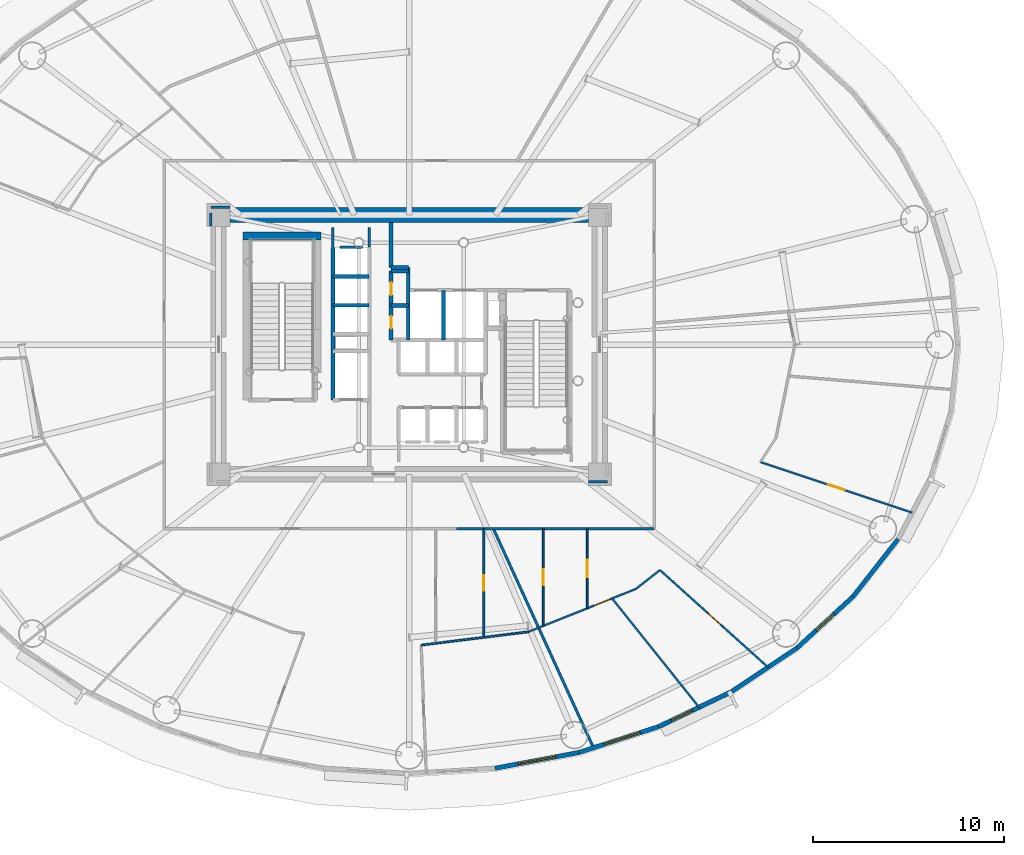
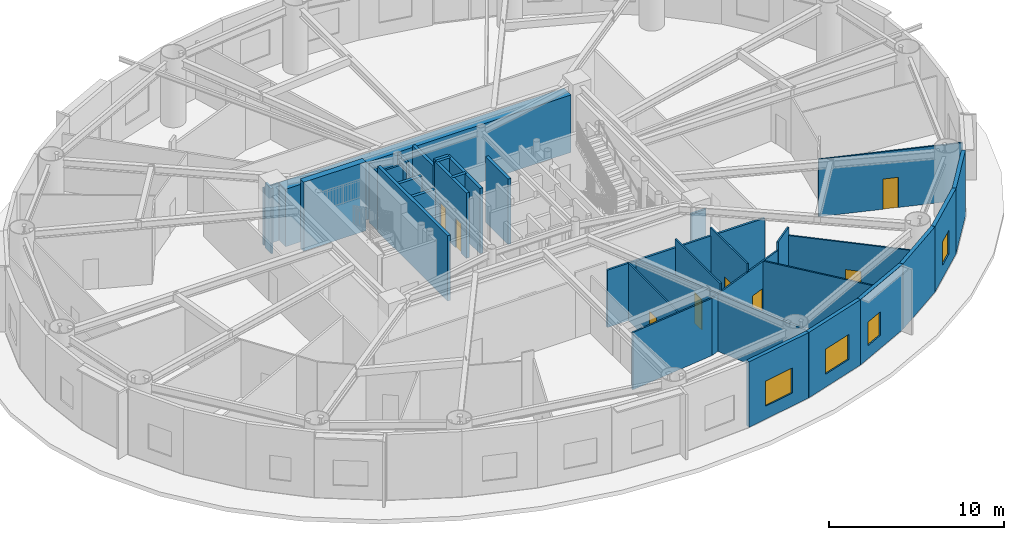
# One storey, part 11 of 19: 35 walls, 8 doors, 4 windows, 12 openings.
"""IFC4 building model written with IfcOpenShell, lengths in metres."""

from ifc_helpers import new_model, si_unit, direction, frame, frame_2d, origin, origin_2d, place, context, subcontext, project, spatial, rectangle, extrude, source, transform, mapped, material, layer, layer_set, type_object, element, fill, save


model = new_model("IFC4")

# Units and contexts
model_context = context("Model", 3, precision=1e-05, world=origin(), true_north=direction((0.0, 1.0)))
body_context = subcontext(model_context, "Body", "Model", "MODEL_VIEW")
ifc_project = project(units=[si_unit("LENGTHUNIT", "METRE"), si_unit("AREAUNIT", "SQUARE_METRE"), si_unit("VOLUMEUNIT", "CUBIC_METRE"), si_unit("PLANEANGLEUNIT", "RADIAN"), si_unit("MASSUNIT", "GRAM", prefix="KILO")], contexts=[model_context])

# Site, building, storey
site_placement = place(None, origin())
site = spatial("IfcSite", under=ifc_project, at=site_placement, CompositionType="ELEMENT")
building_placement = place(site_placement, origin())
building = spatial("IfcBuilding", under=site, at=building_placement, Name="Linh Dai School and Residence Tower", CompositionType="ELEMENT")
storey_placement = place(building_placement, frame((0.0, 0.0, 92.39990234375)))
storey = spatial("IfcBuildingStorey", under=building, at=storey_placement, Name="L21", CompositionType="ELEMENT", Elevation=92.39990234375)

# Wall, opening, window
ifc_material_1 = material(Name="Precast Concrete B45 (C35/45)", Category="concrete")
ifc_layer_1 = layer(ifc_material_1, 0.239990234375)
ifc_layer_set_1 = layer_set([ifc_layer_1], Name="Precast Concrete B45 (C35/45)")
wall_type_1 = type_object("IfcWallType", Name="EW-TC-240", PredefinedType="SOLIDWALL", material=ifc_layer_set_1)
wall_1_placement = place(storey_placement, frame((44.899658203125, 5.5986328125, 0.0), z_axis=(0.0, 0.0, 1.0), x_axis=(-0.982789252177, -0.184730305596, 0.0)))
wall_1 = element("IfcWall", 1, at=wall_1_placement, inside=storey, type_object=wall_type_1, Name="L21 Terracotta Exterior Wall 32", PredefinedType="SOLIDWALL", context=body_context, shape_type="SweptSolid", body=[
    extrude(rectangle(XDim=4.470947265625, YDim=0.239990234375, at=frame_2d((2.2353515625, 0.0))), origin(), (0.0, 0.0, 1.0), 4.550048828125),
])
opening_1_placement = place(wall_1_placement, frame((1.235595703125, 0.0, 0.89990234375)))
opening_1 = element("IfcOpeningElement", 2, at=opening_1_placement, cuts=wall_1, Name="Opening W1", PredefinedType="OPENING", context=body_context, shape_type="SweptSolid", body=[
    extrude(rectangle(XDim=2.0, YDim=1.75, at=origin_2d()), frame((1.0, 0.1298828125, 0.875), z_axis=(0.0, -1.0, 0.0), x_axis=(1.0, 0.0, 0.0)), (0.0, 0.0, 1.0), 0.260009765625),
])
ifc_material_2 = material(Name="Double Low-E Insulated Glazing", Category="glass")
window_type_1 = type_object("IfcWindowType", Name="WN-RES-2000x1750", PartitioningType="DOUBLE_PANEL_VERTICAL", PredefinedType="WINDOW", material=ifc_material_2)
shared_shape_1 = source(origin(), body_context, "Body", "SweptSolid", [
    extrude(rectangle(XDim=2.0, YDim=1.75, at=origin_2d()), frame((1.0, 0.030029296875, 0.875), z_axis=(0.0, -1.0, 0.0), x_axis=(1.0, 0.0, 0.0)), (0.0, 0.0, 1.0), 0.06005859375),
])
window_1_placement = place(opening_1_placement, origin())
window_1 = element("IfcWindow", 3, at=window_1_placement, inside=storey, type_object=window_type_1, Name="L21 Exterior Window 32.1", OverallHeight=1.75, OverallWidth=2.0, PartitioningType="DOUBLE_PANEL_VERTICAL", PredefinedType="WINDOW", context=body_context, shape_type="MappedRepresentation", body=[
    mapped(shared_shape_1, transform((0.0, 0.0, 0.0), x_axis=(1.0, 0.0, 0.0), y_axis=(0.0, 1.0, 0.0), z_axis=(0.0, 0.0, 1.0), scale=1.0)),
])
fill(opening_1, window_1)

wall_2_placement = place(storey_placement, frame((49.073974609375, 6.95263671875, 0.0), z_axis=(0.0, 0.0, 1.0), x_axis=(-0.951211346073, -0.308540070495, 0.0)))
wall_2 = element("IfcWall", 4, at=wall_2_placement, inside=storey, type_object=wall_type_1, Name="L21 Terracotta Exterior Wall 33", PredefinedType="SOLIDWALL", context=body_context, shape_type="SweptSolid", body=[
    extrude(rectangle(XDim=4.388427734375, YDim=0.239990234375, at=frame_2d((2.1943359375, 0.0))), origin(), (0.0, 0.0, 1.0), 4.550048828125),
])
opening_2_placement = place(wall_2_placement, frame((0.991943359375, 0.0, 0.89990234375)))
opening_2 = element("IfcOpeningElement", 5, at=opening_2_placement, cuts=wall_2, Name="Opening W1", PredefinedType="OPENING", context=body_context, shape_type="SweptSolid", body=[
    extrude(rectangle(XDim=2.0, YDim=1.75, at=origin_2d()), frame((1.0, 0.1298828125, 0.875), z_axis=(0.0, -1.0, 0.0), x_axis=(1.0, 0.0, 0.0)), (0.0, 0.0, 1.0), 0.260009765625),
])
window_2_placement = place(opening_2_placement, origin())
window_2 = element("IfcWindow", 6, at=window_2_placement, inside=storey, type_object=window_type_1, Name="L21 Exterior Window 33.1", OverallHeight=1.75, OverallWidth=2.0, PartitioningType="DOUBLE_PANEL_VERTICAL", PredefinedType="WINDOW", context=body_context, shape_type="MappedRepresentation", body=[
    mapped(shared_shape_1, transform((0.0, 0.0, 0.0), x_axis=(1.0, 0.0, 0.0), y_axis=(0.0, 1.0, 0.0), z_axis=(0.0, 0.0, 1.0), scale=1.0)),
])
fill(opening_2, window_2)

wall_3_placement = place(storey_placement, frame((52.92529296875, 8.800537109375, 0.0), z_axis=(0.0, 0.0, 1.0), x_axis=(-0.901589935876, -0.432591709962, 0.0)))
wall_3 = element("IfcWall", 7, at=wall_3_placement, inside=storey, type_object=wall_type_1, Name="L21 Terracotta Exterior Wall 34", PredefinedType="SOLIDWALL", context=body_context, shape_type="SweptSolid", body=[
    extrude(rectangle(XDim=4.271728515625, YDim=0.239990234375, at=frame_2d((2.1357421875, 0.0))), origin(), (0.0, 0.0, 1.0), 4.550048828125),
])
opening_3_placement = place(wall_3_placement, frame((2.284423828125, 0.0, 0.89990234375)))
opening_3 = element("IfcOpeningElement", 8, at=opening_3_placement, cuts=wall_3, Name="Opening W3", PredefinedType="OPENING", context=body_context, shape_type="SweptSolid", body=[
    extrude(rectangle(XDim=1.25, YDim=1.64990234375, at=origin_2d()), frame((0.625, 0.1298828125, 0.824951171875), z_axis=(0.0, -1.0, 0.0), x_axis=(1.0, 0.0, 0.0)), (0.0, 0.0, 1.0), 0.260009765625),
])
window_type_2 = type_object("IfcWindowType", Name="WN-RES-1250x1650", PartitioningType="SINGLE_PANEL", PredefinedType="WINDOW", material=ifc_material_2)
shared_shape_2 = source(origin(), body_context, "Body", "SweptSolid", [
    extrude(rectangle(XDim=1.25, YDim=1.64990234375, at=origin_2d()), frame((0.625, 0.030029296875, 0.824951171875), z_axis=(0.0, -1.0, 0.0), x_axis=(1.0, 0.0, 0.0)), (0.0, 0.0, 1.0), 0.06005859375),
])
window_3_placement = place(opening_3_placement, origin())
window_3 = element("IfcWindow", 9, at=window_3_placement, inside=storey, type_object=window_type_2, Name="L21 Exterior Window 34.1", OverallHeight=1.64990234375, OverallWidth=1.25, PartitioningType="SINGLE_PANEL", PredefinedType="WINDOW", context=body_context, shape_type="MappedRepresentation", body=[
    mapped(shared_shape_2, transform((0.0, 0.0, 0.0), x_axis=(1.0, 0.0, 0.0), y_axis=(0.0, 1.0, 0.0), z_axis=(0.0, 0.0, 1.0), scale=1.0)),
])
fill(opening_3, window_3)

# Wall
wall_4_placement = place(storey_placement, frame((56.3583984375, 11.0966796875, 0.0), z_axis=(0.0, 0.0, 1.0), x_axis=(-0.831221811447, -0.555940914284, 0.0)))
element("IfcWall", 10, at=wall_4_placement, inside=storey, type_object=wall_type_1, Name="L21 Terracotta Exterior Wall 35", PredefinedType="SOLIDWALL", context=body_context, shape_type="SweptSolid", body=[
    extrude(rectangle(XDim=4.130126953125, YDim=0.239990234375, at=frame_2d((2.06494140625, 0.0))), origin(), (0.0, 0.0, 1.0), 4.550048828125),
])

# Wall, opening, window
wall_5_placement = place(storey_placement, frame((59.2890625, 13.783447265625, 0.0), z_axis=(0.0, 0.0, 1.0), x_axis=(-0.737113356241, -0.675769117414, 0.0)))
wall_5 = element("IfcWall", 11, at=wall_5_placement, inside=storey, type_object=wall_type_1, Name="L21 Terracotta Exterior Wall 36", PredefinedType="SOLIDWALL", context=body_context, shape_type="SweptSolid", body=[
    extrude(rectangle(XDim=3.975830078125, YDim=0.239990234375, at=frame_2d((1.98779296875, 0.0))), origin(), (0.0, 0.0, 1.0), 4.550048828125),
])
opening_4_placement = place(wall_5_placement, frame((1.363037109375, 0.0, 0.89990234375)))
opening_4 = element("IfcOpeningElement", 12, at=opening_4_placement, cuts=wall_5, Name="Opening W3", PredefinedType="OPENING", context=body_context, shape_type="SweptSolid", body=[
    extrude(rectangle(XDim=1.25, YDim=1.64990234375, at=origin_2d()), frame((0.625, 0.1298828125, 0.824951171875), z_axis=(0.0, -1.0, 0.0), x_axis=(1.0, 0.0, 0.0)), (0.0, 0.0, 1.0), 0.260009765625),
])
window_4_placement = place(opening_4_placement, origin())
window_4 = element("IfcWindow", 13, at=window_4_placement, inside=storey, type_object=window_type_2, Name="L21 Dwelling Window U2103-LIV", OverallHeight=1.64990234375, OverallWidth=1.25, PartitioningType="SINGLE_PANEL", PredefinedType="WINDOW", context=body_context, shape_type="MappedRepresentation", body=[
    mapped(shared_shape_2, transform((0.0, 0.0, 0.0), x_axis=(1.0, 0.0, 0.0), y_axis=(0.0, 1.0, 0.0), z_axis=(0.0, 0.0, 1.0), scale=1.0)),
])
fill(opening_4, window_4)

# Walls
wall_6_placement = place(storey_placement, frame((61.645263671875, 16.79443359375, 0.0), z_axis=(0.0, 0.0, 1.0), x_axis=(-0.616272103517, -0.787533297345, 0.0)))
element("IfcWall", 14, at=wall_6_placement, inside=storey, type_object=wall_type_1, Name="L21 Terracotta Exterior Wall 37", PredefinedType="SOLIDWALL", context=body_context, shape_type="SweptSolid", body=[
    extrude(rectangle(XDim=3.8232421875, YDim=0.239990234375, at=frame_2d((1.91162109375, 0.0))), origin(), (0.0, 0.0, 1.0), 4.550048828125),
])
ifc_material_3 = material(Name="Autoclaved Aerated Concrete Blockwork", Category="masonry")
ifc_layer_2 = layer(ifc_material_3, 0.135009765625)
ifc_layer_set_2 = layer_set([ifc_layer_2], Name="Autoclaved Aerated Concrete Blockwork")
wall_type_2 = type_object("IfcWallType", Name="IW-CORR-135-EI90", PredefinedType="PARTITIONING", material=ifc_layer_set_2)
wall_7_placement = place(storey_placement, frame((38.47705078125, 17.35009765625, 0.0), z_axis=(0.0, 0.0, 1.0), x_axis=(1.0, 0.0, 0.0)))
element("IfcWall", 15, at=wall_7_placement, inside=storey, type_object=wall_type_2, Name="L21 Interior Partition Wall 053", PredefinedType="PARTITIONING", context=body_context, shape_type="SweptSolid", body=[
    extrude(rectangle(XDim=10.373046875, YDim=0.135009765625, at=frame_2d((5.1865234375, 0.0))), origin(), (0.0, 0.0, 1.0), 3.985107421875),
])
wall_8_placement = place(storey_placement, frame((40.410400390625, 17.35009765625, 0.0), z_axis=(0.0, 0.0, 1.0), x_axis=(0.415695001708, -0.909504076711, 0.0)))
element("IfcWall", 16, at=wall_8_placement, inside=storey, type_object=wall_type_2, Name="L21 Interior Partition Wall 062", PredefinedType="PARTITIONING", context=body_context, shape_type="SweptSolid", body=[
    extrude(rectangle(XDim=12.65185546875, YDim=0.135009765625, at=frame_2d((6.325927734375, 0.0))), origin(), (0.0, 0.0, 1.0), 3.985107421875),
])
wall_9_placement = place(storey_placement, frame((32.360107421875, 32.10009765625, 0.0), z_axis=(0.0, 0.0, 1.0), x_axis=(1.0, 0.0, 0.0)))
element("IfcWall", 17, at=wall_9_placement, inside=storey, type_object=wall_type_2, Name="L21 Interior Partition Wall 084", PredefinedType="PARTITIONING", context=body_context, shape_type="SweptSolid", body=[
    extrude(rectangle(XDim=1.179931640625, YDim=0.135009765625, at=frame_2d((0.58984375, 0.0))), origin(), (0.0, 0.0, 1.0), 4.135009765625),
])
wall_10_placement = place(storey_placement, frame((32.0, 33.139892578125, 0.0), z_axis=(0.0, 0.0, 1.0), x_axis=(0.0, -1.0, 0.0)))
element("IfcWall", 18, at=wall_10_placement, inside=storey, type_object=wall_type_2, Name="L21 Interior Partition Wall 086", PredefinedType="PARTITIONING", context=body_context, shape_type="SweptSolid", body=[
    extrude(rectangle(XDim=1.02978515625, YDim=0.135009765625, at=frame_2d((0.514892578125, 0.0))), origin(), (0.0, 0.0, 1.0), 4.085205078125),
])
wall_11_placement = place(storey_placement, frame((33.89990234375, 32.110107421875, 0.0), z_axis=(0.0, 0.0, 1.0), x_axis=(0.0, 1.0, 0.0)))
element("IfcWall", 19, at=wall_11_placement, inside=storey, type_object=wall_type_2, Name="L21 Interior Partition Wall 089", PredefinedType="PARTITIONING", context=body_context, shape_type="SweptSolid", body=[
    extrude(rectangle(XDim=1.02978515625, YDim=0.135009765625, at=frame_2d((0.514892578125, 0.0))), origin(), (0.0, 0.0, 1.0), 4.135009765625),
])
wall_12_placement = place(storey_placement, frame((26.590087890625, 34.199951171875, 0.0), z_axis=(0.0, 0.0, 1.0), x_axis=(-1.0, 0.0, 0.0)))
element("IfcWall", 20, at=wall_12_placement, inside=storey, type_object=wall_type_2, Name="L21 Interior Partition Wall 092", PredefinedType="PARTITIONING", context=body_context, shape_type="SweptSolid", body=[
    extrude(rectangle(XDim=0.989990234375, YDim=0.135009765625, at=frame_2d((0.4951171875, 0.0))), origin(), (0.0, 0.0, 1.0), 3.985107421875),
])
wall_13_placement = place(storey_placement, frame((25.60009765625, 33.892578125, 0.0), z_axis=(0.0, 0.0, 1.0), x_axis=(0.0, -1.0, 0.0)))
element("IfcWall", 21, at=wall_13_placement, inside=storey, type_object=wall_type_2, Name="L21 Interior Partition Wall 093", PredefinedType="PARTITIONING", context=body_context, shape_type="SweptSolid", body=[
    extrude(rectangle(XDim=0.6826171875, YDim=0.135009765625, at=frame_2d((0.34130859375, 0.0))), origin(), (0.0, 0.0, 1.0), 4.550048828125),
])
wall_14_placement = place(storey_placement, frame((45.409912109375, 19.800048828125, 0.0), z_axis=(0.0, 0.0, 1.0), x_axis=(1.0, 0.0, 0.0)))
element("IfcWall", 22, at=wall_14_placement, inside=storey, type_object=wall_type_2, Name="L21 Interior Partition Wall 096", PredefinedType="PARTITIONING", context=body_context, shape_type="SweptSolid", body=[
    extrude(rectangle(XDim=0.989990234375, YDim=0.135009765625, at=frame_2d((0.4951171875, 0.0))), origin(), (0.0, 0.0, 1.0), 3.985107421875),
])
ifc_material_4 = material(Name="Concrete B45 (C35/45)", Category="concrete")
ifc_layer_3 = layer(ifc_material_4, 0.199951171875)
ifc_layer_set_3 = layer_set([ifc_layer_3], Name="Concrete B45 (C35/45)")
wall_type_3 = type_object("IfcWallType", Name="IW-SHAFT-200-EI120", PredefinedType="PARTITIONING", material=ifc_layer_set_3)
wall_15_placement = place(storey_placement, frame((32.0, 24.10009765625, 0.0), z_axis=(0.0, 0.0, 1.0), x_axis=(0.0, 1.0, 0.0)))
element("IfcWall", 23, at=wall_15_placement, inside=storey, type_object=wall_type_3, Name="L21 Interior Partition Wall 028", PredefinedType="PARTITIONING", context=body_context, shape_type="SweptSolid", body=[
    extrude(rectangle(XDim=8.0, YDim=0.199951171875, at=frame_2d((4.0, 0.0))), origin(), (0.0, 0.0, 1.0), 4.550048828125),
])
for number, where, z_axis, x_axis, name in (
    (24, (32.0, 29.06005859375, 0.0), (0.0, 0.0, 1.0), (1.0, 0.0, 0.0), "L21 Interior Partition Wall 032"),
    (25, (32.0, 30.580078125, 0.0), (0.0, 0.0, 1.0), (1.0, 0.0, 0.0), "L21 Interior Partition Wall 033"),
):
    element("IfcWall", number, at=place(storey_placement, frame(where, z_axis=z_axis, x_axis=x_axis)), inside=storey, type_object=wall_type_3, Name=name, PredefinedType="PARTITIONING", context=body_context, shape_type="SweptSolid", body=[
        extrude(rectangle(XDim=1.89990234375, YDim=0.199951171875, at=frame_2d((0.949951171875, 0.0))), origin(), (0.0, 0.0, 1.0), 4.135009765625),
    ])

# Wall, openings, doors
wall_16_placement = place(storey_placement, frame((35.050048828125, 27.25, 0.0), z_axis=(0.0, 0.0, 1.0), x_axis=(0.0, 1.0, 0.0)))
wall_16 = element("IfcWall", 26, at=wall_16_placement, inside=storey, type_object=wall_type_3, Name="L21 Interior Partition Wall 035", PredefinedType="PARTITIONING", context=body_context, shape_type="SweptSolid", body=[
    extrude(rectangle(XDim=3.60009765625, YDim=0.199951171875, at=frame_2d((1.800048828125, 0.0))), origin(), (0.0, 0.0, 1.0), 4.550048828125),
])
opening_5_placement = place(wall_16_placement, frame((0.590087890625, 0.0, 0.0)))
opening_5 = element("IfcOpeningElement", 27, at=opening_5_placement, cuts=wall_16, Name="Opening AD1", PredefinedType="OPENING", context=body_context, shape_type="SweptSolid", body=[
    extrude(rectangle(XDim=0.659912109375, YDim=2.050048828125, at=origin_2d()), frame((0.330078125, 0.10986328125, 1.02490234375), z_axis=(0.0, -1.0, 0.0), x_axis=(1.0, 0.0, 0.0)), (0.0, 0.0, 1.0), 0.219970703125),
])
opening_6_placement = place(wall_16_placement, frame((2.35009765625, 0.0, 0.0)))
opening_6 = element("IfcOpeningElement", 28, at=opening_6_placement, cuts=wall_16, Name="Opening AD1", PredefinedType="OPENING", context=body_context, shape_type="SweptSolid", body=[
    extrude(rectangle(XDim=0.659912109375, YDim=2.050048828125, at=origin_2d()), frame((0.330078125, 0.10986328125, 1.02490234375), z_axis=(0.0, -1.0, 0.0), x_axis=(1.0, 0.0, 0.0)), (0.0, 0.0, 1.0), 0.219970703125),
])
ifc_material_5 = material(Name="Fire-Rated Steel Riser Access Door", Category="steel")
door_type_1 = type_object("IfcDoorType", Name="DR-ACC-660x2050-FD90S", OperationType="NOTDEFINED", PredefinedType="USERDEFINED", material=ifc_material_5)
shared_shape_3 = source(origin(), body_context, "Body", "SweptSolid", [
    extrude(rectangle(XDim=0.659912109375, YDim=2.050048828125, at=origin_2d()), frame((0.330078125, 0.02490234375, 1.02490234375), z_axis=(0.0, -1.0, 0.0), x_axis=(1.0, 0.0, 0.0)), (0.0, 0.0, 1.0), 0.050048828125),
])
door_1_placement = place(opening_5_placement, origin())
door_1 = element("IfcDoor", 29, at=door_1_placement, inside=storey, type_object=door_type_1, Name="L21 Telecom and Data Riser Access Door", ObjectType="ACCESS DOOR", OperationType="SINGLE_SWING_LEFT", OverallHeight=2.050048828125, OverallWidth=0.659912109375, PredefinedType="USERDEFINED", context=body_context, shape_type="MappedRepresentation", body=[
    mapped(shared_shape_3, transform((0.0, 0.0, 0.0), x_axis=(1.0, 0.0, 0.0), y_axis=(0.0, 1.0, 0.0), z_axis=(0.0, 0.0, 1.0), scale=1.0)),
])
fill(opening_5, door_1)
door_2_placement = place(opening_6_placement, origin())
door_2 = element("IfcDoor", 30, at=door_2_placement, inside=storey, type_object=door_type_1, Name="L21 Mechanical and Plumbing Riser Access Door", ObjectType="ACCESS DOOR", OperationType="SINGLE_SWING_RIGHT", OverallHeight=2.050048828125, OverallWidth=0.659912109375, PredefinedType="USERDEFINED", context=body_context, shape_type="MappedRepresentation", body=[
    mapped(shared_shape_3, transform((0.0, 0.0, 0.0), x_axis=(1.0, 0.0, 0.0), y_axis=(0.0, 1.0, 0.0), z_axis=(0.0, 0.0, 1.0), scale=1.0)),
])
fill(opening_6, door_2)

# Walls
for number, where, z_axis, x_axis, name in (
    (31, (35.050048828125, 29.050048828125, 0.0), (0.0, 0.0, 1.0), (1.0, 0.0, 0.0), "L21 Interior Partition Wall 037"),
    (32, (35.050048828125, 30.85009765625, 0.0), (0.0, 0.0, 1.0), (1.0, 0.0, 0.0), "L21 Interior Partition Wall 038"),
):
    element("IfcWall", number, at=place(storey_placement, frame(where, z_axis=z_axis, x_axis=x_axis)), inside=storey, type_object=wall_type_3, Name=name, PredefinedType="PARTITIONING", context=body_context, shape_type="SweptSolid", body=[
        extrude(rectangle(XDim=0.89990234375, YDim=0.199951171875, at=frame_2d((0.449951171875, 0.0))), origin(), (0.0, 0.0, 1.0), 4.550048828125),
    ])
wall_17_placement = place(storey_placement, frame((35.050048828125, 31.050048828125, 0.0), z_axis=(0.0, 0.0, 1.0), x_axis=(0.0, 1.0, 0.0)))
element("IfcWall", 33, at=wall_17_placement, inside=storey, type_object=wall_type_3, Name="L21 Interior Partition Wall 039", PredefinedType="PARTITIONING", context=body_context, shape_type="SweptSolid", body=[
    extrude(rectangle(XDim=2.349853515625, YDim=0.199951171875, at=frame_2d((1.1748046875, 0.0))), origin(), (0.0, 0.0, 1.0), 4.135009765625),
])
wall_18_placement = place(storey_placement, frame((35.050048828125, 31.050048828125, 0.0), z_axis=(0.0, 0.0, 1.0), x_axis=(1.0, 0.0, 0.0)))
element("IfcWall", 34, at=wall_18_placement, inside=storey, type_object=wall_type_3, Name="L21 Interior Partition Wall 040", PredefinedType="PARTITIONING", context=body_context, shape_type="SweptSolid", body=[
    extrude(rectangle(XDim=0.89990234375, YDim=0.199951171875, at=frame_2d((0.449951171875, 0.0))), origin(), (0.0, 0.0, 1.0), 4.550048828125),
])
wall_19_placement = place(storey_placement, frame((35.949951171875, 27.25, 0.0), z_axis=(0.0, 0.0, 1.0), x_axis=(0.0, 1.0, 0.0)))
element("IfcWall", 35, at=wall_19_placement, inside=storey, type_object=wall_type_3, Name="L21 Interior Partition Wall 045", PredefinedType="PARTITIONING", context=body_context, shape_type="SweptSolid", body=[
    extrude(rectangle(XDim=3.800048828125, YDim=0.199951171875, at=frame_2d((1.89990234375, 0.0))), origin(), (0.0, 0.0, 1.0), 4.550048828125),
])
wall_20_placement = place(storey_placement, frame((37.800048828125, 27.25, 0.0), z_axis=(0.0, 0.0, 1.0), x_axis=(0.0, 1.0, 0.0)))
element("IfcWall", 36, at=wall_20_placement, inside=storey, type_object=wall_type_3, Name="L21 Interior Partition Wall 052", PredefinedType="PARTITIONING", context=body_context, shape_type="SweptSolid", body=[
    extrude(rectangle(XDim=2.60009765625, YDim=0.199951171875, at=frame_2d((1.300048828125, 0.0))), origin(), (0.0, 0.0, 1.0), 4.550048828125),
])
ifc_material_6 = material(Name="Gypsum Plasterboard Acoustic Stud Partition", Category="masonry")
ifc_layer_4 = layer(ifc_material_6, 0.10009765625)
ifc_layer_set_4 = layer_set([ifc_layer_4], Name="Gypsum Plasterboard Acoustic Stud Partition")
wall_type_4 = type_object("IfcWallType", Name="IW-UNIT-100", PredefinedType="PARTITIONING", material=ifc_layer_set_4)
wall_21_placement = place(storey_placement, frame((36.6279296875, 11.23681640625, 0.0), z_axis=(0.0, 0.0, 1.0), x_axis=(0.992395411507, 0.123090808834, 0.0)))
element("IfcWall", 37, at=wall_21_placement, inside=storey, type_object=wall_type_4, Name="L21 Interior Partition Wall 048", PredefinedType="PARTITIONING", context=body_context, shape_type="SweptSolid", body=[
    extrude(rectangle(XDim=5.666748046875, YDim=0.10009765625, at=frame_2d((2.83349609375, 0.0))), origin(), (0.0, 0.0, 1.0), 3.985107421875),
])

# Wall, opening, door
wall_22_placement = place(storey_placement, frame((39.918212890625, 11.64501953125, 0.0), z_axis=(0.0, 0.0, 1.0), x_axis=(0.0, 1.0, 0.0)))
wall_22 = element("IfcWall", 38, at=wall_22_placement, inside=storey, type_object=wall_type_4, Name="L21 Interior Partition Wall 058", PredefinedType="PARTITIONING", context=body_context, shape_type="SweptSolid", body=[
    extrude(rectangle(XDim=5.705078125, YDim=0.10009765625, at=frame_2d((2.8525390625, 0.0))), origin(), (0.0, 0.0, 1.0), 3.985107421875),
])
opening_7_placement = place(wall_22_placement, frame((2.4423828125, 0.0, 0.0)))
opening_7 = element("IfcOpeningElement", 39, at=opening_7_placement, cuts=wall_22, Name="Opening D06", PredefinedType="OPENING", context=body_context, shape_type="SweptSolid", body=[
    extrude(rectangle(XDim=0.820068359375, YDim=2.10009765625, at=origin_2d()), frame((0.41015625, 0.06005859375, 1.050048828125), z_axis=(0.0, -1.0, 0.0), x_axis=(1.0, 0.0, 0.0)), (0.0, 0.0, 1.0), 0.1201171875),
])
ifc_material_7 = material(Name="Moisture-Resistant Timber Bathroom Door", Category="wood")
door_type_2 = type_object("IfcDoorType", Name="DR-WET-820x2100", OperationType="NOTDEFINED", PredefinedType="DOOR", material=ifc_material_7)
shared_shape_4 = source(origin(), body_context, "Body", "SweptSolid", [
    extrude(rectangle(XDim=0.820068359375, YDim=2.10009765625, at=origin_2d()), frame((0.41015625, 0.02490234375, 1.050048828125), z_axis=(0.0, -1.0, 0.0), x_axis=(1.0, 0.0, 0.0)), (0.0, 0.0, 1.0), 0.050048828125),
])
door_3_placement = place(opening_7_placement, origin())
door_3 = element("IfcDoor", 40, at=door_3_placement, inside=storey, type_object=door_type_2, Name="L21 Apartment U2102 Bathroom 1 Door", OperationType="SINGLE_SWING_LEFT", OverallHeight=2.10009765625, OverallWidth=0.820068359375, PredefinedType="DOOR", context=body_context, shape_type="MappedRepresentation", body=[
    mapped(shared_shape_4, transform((0.0, 0.0, 0.0), x_axis=(1.0, 0.0, 0.0), y_axis=(0.0, 1.0, 0.0), z_axis=(0.0, 0.0, 1.0), scale=1.0)),
])
fill(opening_7, door_3)

wall_23_placement = place(storey_placement, frame((42.25146484375, 11.934326171875, 0.0), z_axis=(0.0, 0.0, 1.0), x_axis=(0.928803554156, 0.370572473055, 0.0)))
wall_23 = element("IfcWall", 41, at=wall_23_placement, inside=storey, type_object=wall_type_4, Name="L21 Interior Partition Wall 066", PredefinedType="PARTITIONING", context=body_context, shape_type="SweptSolid", body=[
    extrude(rectangle(XDim=6.07177734375, YDim=0.10009765625, at=frame_2d((3.035888671875, 0.0))), origin(), (0.0, 0.0, 1.0), 3.985107421875),
])
opening_8_placement = place(wall_23_placement, frame((3.71923828125, 0.0, 0.0)))
opening_8 = element("IfcOpeningElement", 42, at=opening_8_placement, cuts=wall_23, Name="Opening D05", PredefinedType="OPENING", context=body_context, shape_type="SweptSolid", body=[
    extrude(rectangle(XDim=0.89990234375, YDim=2.10009765625, at=origin_2d()), frame((0.449951171875, 0.06005859375, 1.050048828125), z_axis=(0.0, -1.0, 0.0), x_axis=(1.0, 0.0, 0.0)), (0.0, 0.0, 1.0), 0.1201171875),
])
ifc_material_8 = material(Name="Engineered Timber Internal Door", Category="wood")
door_type_3 = type_object("IfcDoorType", Name="DR-INT-900x2100", OperationType="NOTDEFINED", PredefinedType="DOOR", material=ifc_material_8)
shared_shape_5 = source(origin(), body_context, "Body", "SweptSolid", [
    extrude(rectangle(XDim=0.89990234375, YDim=2.10009765625, at=origin_2d()), frame((0.449951171875, 0.02490234375, 1.050048828125), z_axis=(0.0, -1.0, 0.0), x_axis=(1.0, 0.0, 0.0)), (0.0, 0.0, 1.0), 0.050048828125),
])
door_4_placement = place(opening_8_placement, origin())
door_4 = element("IfcDoor", 43, at=door_4_placement, inside=storey, type_object=door_type_3, Name="L21 Apartment U2103 Principal Bedroom 1 Door", OperationType="SINGLE_SWING_LEFT", OverallHeight=2.10009765625, OverallWidth=0.89990234375, PredefinedType="DOOR", context=body_context, shape_type="MappedRepresentation", body=[
    mapped(shared_shape_5, transform((0.0, 0.0, 0.0), x_axis=(1.0, 0.0, 0.0), y_axis=(0.0, 1.0, 0.0), z_axis=(0.0, 0.0, 1.0), scale=1.0)),
])
fill(opening_8, door_4)

wall_24_placement = place(storey_placement, frame((43.032470703125, 12.245849609375, 0.0), z_axis=(0.0, 0.0, 1.0), x_axis=(0.0, 1.0, 0.0)))
wall_24 = element("IfcWall", 44, at=wall_24_placement, inside=storey, type_object=wall_type_4, Name="L21 Interior Partition Wall 067", PredefinedType="PARTITIONING", context=body_context, shape_type="SweptSolid", body=[
    extrude(rectangle(XDim=5.104248046875, YDim=0.10009765625, at=frame_2d((2.55224609375, 0.0))), origin(), (0.0, 0.0, 1.0), 4.550048828125),
])
opening_9_placement = place(wall_24_placement, frame((2.14208984375, 0.0, 0.0)))
opening_9 = element("IfcOpeningElement", 45, at=opening_9_placement, cuts=wall_24, Name="Opening D06", PredefinedType="OPENING", context=body_context, shape_type="SweptSolid", body=[
    extrude(rectangle(XDim=0.820068359375, YDim=2.10009765625, at=origin_2d()), frame((0.41015625, 0.06005859375, 1.050048828125), z_axis=(0.0, -1.0, 0.0), x_axis=(1.0, 0.0, 0.0)), (0.0, 0.0, 1.0), 0.1201171875),
])
door_5_placement = place(opening_9_placement, origin())
door_5 = element("IfcDoor", 46, at=door_5_placement, inside=storey, type_object=door_type_2, Name="L21 Apartment U2103 Bathroom 1 Door", OperationType="SINGLE_SWING_RIGHT", OverallHeight=2.10009765625, OverallWidth=0.820068359375, PredefinedType="DOOR", context=body_context, shape_type="MappedRepresentation", body=[
    mapped(shared_shape_4, transform((0.0, 0.0, 0.0), x_axis=(1.0, 0.0, 0.0), y_axis=(0.0, 1.0, 0.0), z_axis=(0.0, 0.0, 1.0), scale=1.0)),
])
fill(opening_9, door_5)

wall_25_placement = place(storey_placement, frame((45.33984375, 13.16650390625, 0.0), z_axis=(0.0, 0.0, 1.0), x_axis=(0.0, 1.0, 0.0)))
wall_25 = element("IfcWall", 47, at=wall_25_placement, inside=storey, type_object=wall_type_4, Name="L21 Interior Partition Wall 069", PredefinedType="PARTITIONING", context=body_context, shape_type="SweptSolid", body=[
    extrude(rectangle(XDim=4.18359375, YDim=0.10009765625, at=frame_2d((2.091796875, 0.0))), origin(), (0.0, 0.0, 1.0), 4.550048828125),
])
opening_10_placement = place(wall_25_placement, frame((1.6416015625, 0.0, 0.0)))
opening_10 = element("IfcOpeningElement", 48, at=opening_10_placement, cuts=wall_25, Name="Opening D05", PredefinedType="OPENING", context=body_context, shape_type="SweptSolid", body=[
    extrude(rectangle(XDim=0.89990234375, YDim=2.10009765625, at=origin_2d()), frame((0.449951171875, 0.06005859375, 1.050048828125), z_axis=(0.0, -1.0, 0.0), x_axis=(1.0, 0.0, 0.0)), (0.0, 0.0, 1.0), 0.1201171875),
])
door_6_placement = place(opening_10_placement, origin())
door_6 = element("IfcDoor", 49, at=door_6_placement, inside=storey, type_object=door_type_3, Name="L21 Apartment U2103 Kitchen Door", OperationType="SINGLE_SWING_LEFT", OverallHeight=2.10009765625, OverallWidth=0.89990234375, PredefinedType="DOOR", context=body_context, shape_type="MappedRepresentation", body=[
    mapped(shared_shape_5, transform((0.0, 0.0, 0.0), x_axis=(1.0, 0.0, 0.0), y_axis=(0.0, 1.0, 0.0), z_axis=(0.0, 0.0, 1.0), scale=1.0)),
])
fill(opening_10, door_6)

# Walls
wall_26_placement = place(storey_placement, frame((46.6416015625, 13.685791015625, 0.0), z_axis=(0.0, 0.0, 1.0), x_axis=(0.624332747249, -0.781158511899, 0.0)))
element("IfcWall", 50, at=wall_26_placement, inside=storey, type_object=wall_type_4, Name="L21 Interior Partition Wall 070", PredefinedType="PARTITIONING", context=body_context, shape_type="SweptSolid", body=[
    extrude(rectangle(XDim=7.315185546875, YDim=0.10009765625, at=frame_2d((3.65771484375, 0.0))), origin(), (0.0, 0.0, 1.0), 3.985107421875),
])
wall_27_placement = place(storey_placement, frame((47.890869140625, 14.184326171875, 0.0), z_axis=(0.0, 0.0, 1.0), x_axis=(0.787373320688, 0.616476482819, 0.0)))
element("IfcWall", 51, at=wall_27_placement, inside=storey, type_object=wall_type_4, Name="L21 Interior Partition Wall 071", PredefinedType="PARTITIONING", context=body_context, shape_type="SweptSolid", body=[
    extrude(rectangle(XDim=1.604248046875, YDim=0.10009765625, at=frame_2d((0.80224609375, 0.0))), origin(), (0.0, 0.0, 1.0), 4.550048828125),
])

# Wall, opening, door
wall_28_placement = place(storey_placement, frame((49.154052734375, 15.17333984375, 0.0), z_axis=(0.0, 0.0, 1.0), x_axis=(0.743623217159, -0.668598916318, 0.0)))
wall_28 = element("IfcWall", 52, at=wall_28_placement, inside=storey, type_object=wall_type_4, Name="L21 Interior Partition Wall 074", PredefinedType="PARTITIONING", context=body_context, shape_type="SweptSolid", body=[
    extrude(rectangle(XDim=7.63427734375, YDim=0.10009765625, at=frame_2d((3.817138671875, 0.0))), origin(), (0.0, 0.0, 1.0), 3.985107421875),
])
opening_11_placement = place(wall_28_placement, frame((3.3671875, 0.0, 0.0)))
opening_11 = element("IfcOpeningElement", 53, at=opening_11_placement, cuts=wall_28, Name="Opening D05", PredefinedType="OPENING", context=body_context, shape_type="SweptSolid", body=[
    extrude(rectangle(XDim=0.89990234375, YDim=2.10009765625, at=origin_2d()), frame((0.449951171875, 0.06005859375, 1.050048828125), z_axis=(0.0, -1.0, 0.0), x_axis=(1.0, 0.0, 0.0)), (0.0, 0.0, 1.0), 0.1201171875),
])
door_7_placement = place(opening_11_placement, origin())
door_7 = element("IfcDoor", 54, at=door_7_placement, inside=storey, type_object=door_type_3, Name="L21 Apartment U2103 Study Door", OperationType="SINGLE_SWING_RIGHT", OverallHeight=2.10009765625, OverallWidth=0.89990234375, PredefinedType="DOOR", context=body_context, shape_type="MappedRepresentation", body=[
    mapped(shared_shape_5, transform((0.0, 0.0, 0.0), x_axis=(1.0, 0.0, 0.0), y_axis=(0.0, 1.0, 0.0), z_axis=(0.0, 0.0, 1.0), scale=1.0)),
])
fill(opening_11, door_7)

wall_29_placement = place(storey_placement, frame((54.419677734375, 20.84423828125, 0.0), z_axis=(0.0, 0.0, 1.0), x_axis=(0.948444660119, -0.316942781416, 0.0)))
wall_29 = element("IfcWall", 55, at=wall_29_placement, inside=storey, type_object=wall_type_4, Name="L21 Interior Partition Wall 076", PredefinedType="PARTITIONING", context=body_context, shape_type="SweptSolid", body=[
    extrude(rectangle(XDim=8.398681640625, YDim=0.10009765625, at=frame_2d((4.19921875, 0.0))), origin(), (0.0, 0.0, 1.0), 3.985107421875),
])
opening_12_placement = place(wall_29_placement, frame((3.749267578125, 0.0, 0.0)))
opening_12 = element("IfcOpeningElement", 56, at=opening_12_placement, cuts=wall_29, Name="Opening D05", PredefinedType="OPENING", context=body_context, shape_type="SweptSolid", body=[
    extrude(rectangle(XDim=0.89990234375, YDim=2.10009765625, at=origin_2d()), frame((0.449951171875, 0.06005859375, 1.050048828125), z_axis=(0.0, -1.0, 0.0), x_axis=(1.0, 0.0, 0.0)), (0.0, 0.0, 1.0), 0.1201171875),
])
door_8_placement = place(opening_12_placement, origin())
door_8 = element("IfcDoor", 57, at=door_8_placement, inside=storey, type_object=door_type_3, Name="L21 Apartment U2103 Principal Bedroom 2 Door", OperationType="SINGLE_SWING_LEFT", OverallHeight=2.10009765625, OverallWidth=0.89990234375, PredefinedType="DOOR", context=body_context, shape_type="MappedRepresentation", body=[
    mapped(shared_shape_5, transform((0.0, 0.0, 0.0), x_axis=(1.0, 0.0, 0.0), y_axis=(0.0, 1.0, 0.0), z_axis=(0.0, 0.0, 1.0), scale=1.0)),
])
fill(opening_12, door_8)

# Walls
ifc_layer_5 = layer(ifc_material_4, 0.39990234375)
ifc_layer_set_5 = layer_set([ifc_layer_5], Name="Concrete B45 (C35/45)")
wall_type_5 = type_object("IfcWallType", Name="WL-CORE400", PredefinedType="SHEAR", material=ifc_layer_set_5)
wall_30_placement = place(storey_placement, frame((27.280029296875, 32.699951171875, 0.0), z_axis=(0.0, 0.0, 1.0), x_axis=(1.0, 0.0, 0.0)))
element("IfcWall", 58, at=wall_30_placement, inside=storey, type_object=wall_type_5, Name="L21 Core Stair ST1 Bearing Wall N", PredefinedType="SHEAR", context=body_context, shape_type="SweptSolid", body=[
    extrude(rectangle(XDim=4.099853515625, YDim=0.39990234375, at=frame_2d((2.0498046875, 0.0))), origin(), (0.0, 0.0, 1.0), 4.800048828125),
])
ifc_material_9 = material(Name="Concrete B60 (C50/60)", Category="concrete")
ifc_layer_6 = layer(ifc_material_9, 0.800048828125)
ifc_layer_set_6 = layer_set([ifc_layer_6], Name="Concrete B60 (C50/60)")
wall_type_6 = type_object("IfcWallType", Name="WL-CORE800", PredefinedType="SHEAR", material=ifc_layer_set_6)
wall_31_placement = place(storey_placement, frame((26.60009765625, 33.800048828125, 0.0), z_axis=(0.0, 0.0, 1.0), x_axis=(1.0, 0.0, 0.0)))
element("IfcWall", 59, at=wall_31_placement, inside=storey, type_object=wall_type_6, Name="L21 Central Core Shear Wall N", PredefinedType="SHEAR", context=body_context, shape_type="SweptSolid", body=[
    extrude(rectangle(XDim=18.7998046875, YDim=0.800048828125, at=frame_2d((9.39990234375, 0.0))), origin(), (0.0, 0.0, 1.0), 4.0),
])

save(model, "model.ifc")
